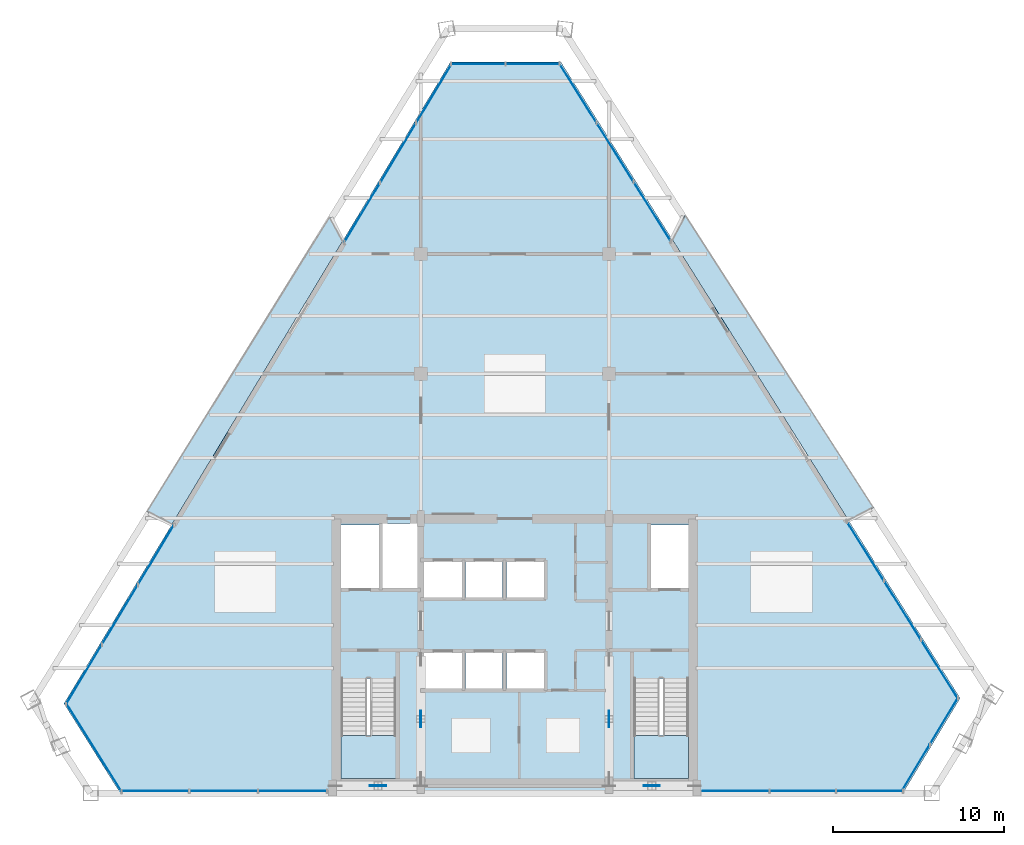
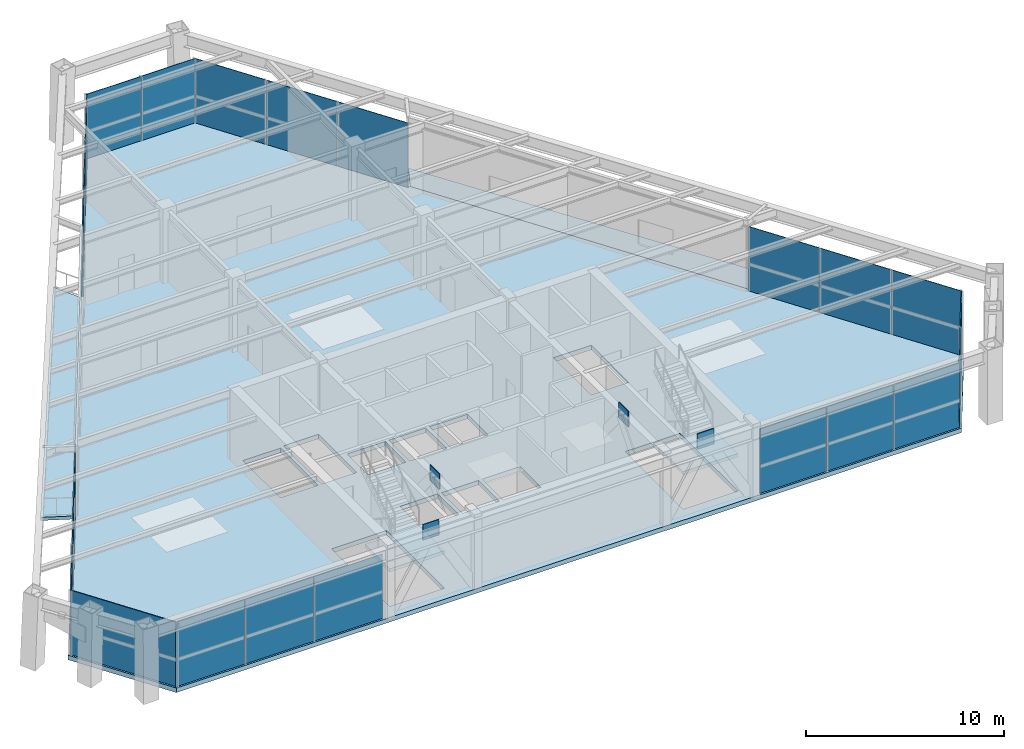
# One storey, part 6 of 11: 27 plates, 5 slabs, 11 elements without a shape of their own.
"""IFC4 building model written with IfcOpenShell, lengths in metres."""

from ifc_helpers import new_model, si_unit, direction, frame, origin, origin_2d, place, context, subcontext, project, spatial, polyline, rectangle, outline, extrude, source, transform, mapped, material, layer, layer_set, type_object, element, aggregate, save


model = new_model("IFC4")

# Units and contexts
model_context = context("Model", 3, precision=1e-05, world=origin(), true_north=direction((0.0, 1.0)))
body_context = subcontext(model_context, "Body", "Model", "MODEL_VIEW")
ifc_project = project(units=[si_unit("LENGTHUNIT", "METRE"), si_unit("AREAUNIT", "SQUARE_METRE"), si_unit("VOLUMEUNIT", "CUBIC_METRE"), si_unit("PLANEANGLEUNIT", "RADIAN"), si_unit("MASSUNIT", "GRAM", prefix="KILO")], contexts=[model_context])

# Site, building, storey
site_placement = place(None, origin())
site = spatial("IfcSite", under=ifc_project, at=site_placement, CompositionType="ELEMENT")
building_placement = place(site_placement, origin())
building = spatial("IfcBuilding", under=site, at=building_placement, Name="Varnakhor Terracotta Tower", CompositionType="ELEMENT")
storey_placement = place(building_placement, frame((0.0, 0.0, 215.39990234375)))
storey = spatial("IfcBuildingStorey", under=building, at=storey_placement, Name="L55", CompositionType="ELEMENT", Elevation=215.39990234375)

# Stair, slab
ifc_material_1 = material(Name="Concrete C40/50", Category="concrete")
stair_type = type_object("IfcStairType", Name="STR-CORE-HOTEL-1500", PredefinedType="HALF_TURN_STAIR", material=ifc_material_1)
stair_1_placement = place(storey_placement, origin())
stair_1 = element("IfcStair", 1, at=stair_1_placement, inside=storey, type_object=stair_type, Name="L55 Core Exit Stair ST-1", PredefinedType="HALF_TURN_STAIR")
ifc_layer_1 = layer(ifc_material_1, 0.179931640625, Name="Concrete C40/50")
ifc_layer_set_1 = layer_set([ifc_layer_1], Name="Concrete C40/50")
slab_type_1 = type_object("IfcSlabType", Name="SLB-LANDING-180", PredefinedType="LANDING", material=ifc_layer_set_1)
slab_1_placement = place(storey_placement, frame((0.0, 0.0, 2.10009765625)))
slab_1 = element("IfcSlab", 2, at=slab_1_placement, type_object=slab_type_1, Name="ST-1 landing 1", PredefinedType="LANDING", context=body_context, shape_type="SweptSolid", body=[
    extrude(outline(polyline([(-10.14990234375, 3.35009765625), (-10.14990234375, 0.85009765625), (-6.949951171875, 0.85009765625), (-6.949951171875, 3.35009765625), (-10.14990234375, 3.35009765625)])), origin(), (0.0, 0.0, 1.0), 0.199951171875),
])
aggregate(stair_1, [slab_1])

stair_2_placement = place(storey_placement, origin())
stair_2 = element("IfcStair", 3, at=stair_2_placement, inside=storey, type_object=stair_type, Name="L55 Core Exit Stair ST-2", PredefinedType="HALF_TURN_STAIR")
slab_2_placement = place(storey_placement, frame((0.0, 0.0, 2.10009765625)))
slab_2 = element("IfcSlab", 4, at=slab_2_placement, type_object=slab_type_1, Name="ST-2 landing 1", PredefinedType="LANDING", context=body_context, shape_type="SweptSolid", body=[
    extrude(outline(polyline([(6.949951171875, 3.35009765625), (6.949951171875, 0.85009765625), (10.14990234375, 0.85009765625), (10.14990234375, 3.35009765625), (6.949951171875, 3.35009765625)])), origin(), (0.0, 0.0, 1.0), 0.199951171875),
])
aggregate(stair_2, [slab_2])

# Slabs
ifc_layer_2 = layer(ifc_material_1, 0.195068359375, Name="Concrete C40/50")
ifc_layer_set_2 = layer_set([ifc_layer_2], Name="Concrete C40/50")
slab_type_2 = type_object("IfcSlabType", Name="SLB-LOGGIA-EXT-195", PredefinedType="FLOOR", material=ifc_layer_set_2)
slab_3_placement = place(storey_placement, frame((0.0, 0.0, -0.19482421875)))
element("IfcSlab", 5, at=slab_3_placement, inside=storey, type_object=slab_type_2, Name="L55 E Recessed Outdoor Loggia Slab", PredefinedType="FLOOR", context=body_context, shape_type="SweptSolid", body=[
    extrude(outline(polyline([(9.938720703125, 33.760498046875), (20.955322265625, 16.66796875), (19.487060546875, 15.952880859375), (9.220703125, 32.31201171875), (9.938720703125, 33.760498046875)])), origin(), (0.0, 0.0, 1.0), 0.19482421875),
])
slab_4_placement = place(storey_placement, frame((0.0, 0.0, -0.19482421875)))
element("IfcSlab", 6, at=slab_4_placement, inside=storey, type_object=slab_type_2, Name="L55 W Recessed Outdoor Loggia Slab", PredefinedType="FLOOR", context=body_context, shape_type="SweptSolid", body=[
    extrude(outline(polyline([(-21.501220703125, 16.43310546875), (-10.8056640625, 33.669189453125), (-10.083740234375, 32.224609375), (-20.0224609375, 15.72802734375), (-21.501220703125, 16.43310546875)])), origin(), (0.0, 0.0, 1.0), 0.19482421875),
])
ifc_layer_3 = layer(ifc_material_1, 0.280029296875, Name="Concrete C40/50")
ifc_layer_set_3 = layer_set([ifc_layer_3], Name="Concrete C40/50")
slab_type_3 = type_object("IfcSlabType", Name="SLB-SKY-280", PredefinedType="FLOOR", material=ifc_layer_set_3)
slab_5_placement = place(storey_placement, frame((0.0, 0.0, -0.27978515625)))
element("IfcSlab", 7, at=slab_5_placement, inside=storey, type_object=slab_type_3, Name="L55 Structural Floor Slab", PredefinedType="FLOOR", context=body_context, shape_type="SweptSolid", body=[
    extrude(outline(polyline([(-26.34716796875, 5.230224609375), (-3.759033203125, 42.722412109375), (2.687744140625, 42.722412109375), (26.02001953125, 5.54248046875), (22.6806640625, 0.0), (-23.06494140625, 0.0), (-26.34716796875, 5.230224609375)]), holes=[polyline([(-6.949951171875, 0.85009765625), (-6.949951171875, 6.695068359375), (-10.14990234375, 6.695068359375), (-10.14990234375, 0.85009765625), (-6.949951171875, 0.85009765625)]), polyline([(-3.10009765625, 6.10009765625), (-3.10009765625, 8.199951171875), (-5.300048828125, 8.199951171875), (-5.300048828125, 6.10009765625), (-3.10009765625, 6.10009765625)]), polyline([(-0.719970703125, 6.10009765625), (-0.719970703125, 8.199951171875), (-2.8798828125, 8.199951171875), (-2.8798828125, 6.10009765625), (-0.719970703125, 6.10009765625)]), polyline([(-5.300048828125, 11.419921875), (-3.10009765625, 11.419921875), (-3.10009765625, 13.52001953125), (-5.300048828125, 13.52001953125), (-5.300048828125, 11.419921875)]), polyline([(-10.14990234375, 11.8798828125), (-7.949951171875, 11.8798828125), (-7.949951171875, 15.64990234375), (-10.14990234375, 15.64990234375), (-10.14990234375, 11.8798828125)]), polyline([(-5.699951171875, 11.8798828125), (-5.699951171875, 15.75), (-7.72998046875, 15.75), (-7.72998046875, 11.8798828125), (-5.699951171875, 11.8798828125)]), polyline([(6.949951171875, 0.85009765625), (10.14990234375, 0.85009765625), (10.14990234375, 6.695068359375), (6.949951171875, 6.695068359375), (6.949951171875, 0.85009765625)]), polyline([(-0.5, 6.10009765625), (1.699951171875, 6.10009765625), (1.699951171875, 8.199951171875), (-0.5, 8.199951171875), (-0.5, 6.10009765625)]), polyline([(-0.719970703125, 11.419921875), (-0.719970703125, 13.52001953125), (-2.8798828125, 13.52001953125), (-2.8798828125, 11.419921875), (-0.719970703125, 11.419921875)]), polyline([(-0.5, 11.419921875), (1.699951171875, 11.419921875), (1.699951171875, 13.52001953125), (-0.5, 13.52001953125), (-0.5, 11.419921875)]), polyline([(7.949951171875, 11.8798828125), (10.14990234375, 11.8798828125), (10.14990234375, 15.64990234375), (7.949951171875, 15.64990234375), (7.949951171875, 11.8798828125)])]), origin(), (0.0, 0.0, 1.0), 0.27978515625),
])

# Plates
ifc_material_2 = material(Name="Steel S460", Category="steel")
ifc_layer_4 = layer(ifc_material_2, 0.050048828125, Name="Steel S460")
ifc_layer_set_4 = layer_set([ifc_layer_4], Name="Steel S460")
plate_type_1 = type_object("IfcPlateType", Name="PLT-GUSSET-50", PredefinedType="USERDEFINED", material=ifc_layer_set_4)
shared_shape_1 = source(origin(), body_context, "Body", "SweptSolid", [
    extrude(rectangle(XDim=0.949951171875, YDim=0.044921875, at=origin_2d()), origin(), (0.0, 0.0, 1.0), 0.949951171875),
])
for number, where, z_axis, x_axis, name in (
    (8, (-8.0, 0.419921875, 3.76513671875), (0.0, 0.0, 1.0), (1.0, 0.0, 0.0), "L55 Core Brace Apex Gusset CSW"),
    (9, (8.0, 0.419921875, 3.76513671875), (0.0, 0.0, 1.0), (1.0, 0.0, 0.0), "L55 Core Brace Apex Gusset CSE"),
    (10, (-5.5, 4.324951171875, 3.76513671875), (0.0, 0.0, 1.0), (0.0, 1.0, 0.0), "L55 Core Brace Apex Gusset CWW"),
    (11, (5.5, 4.324951171875, 3.76513671875), (0.0, 0.0, 1.0), (0.0, 1.0, 0.0), "L55 Core Brace Apex Gusset CWE"),
):
    element("IfcPlate", number, at=place(storey_placement, frame(where, z_axis=z_axis, x_axis=x_axis)), inside=storey, type_object=plate_type_1, Name=name, ObjectType="GUSSET PLATE", PredefinedType="USERDEFINED", context=body_context, shape_type="MappedRepresentation", body=[
        mapped(shared_shape_1, transform((0.0, 0.0, 0.0), scale=1.0)),
    ])

# Curtain wall, plates
ifc_material_3 = material(Name="Anodised Aluminium Curtain Wall System", Category="aluminium")
curtain_wall_type = type_object("IfcCurtainWallType", Name="CW-SYS-SKYLOBBY", PredefinedType="NOTDEFINED", material=ifc_material_3)
curtain_wall_1_placement = place(storey_placement, origin())
curtain_wall_1 = element("IfcCurtainWall", 12, at=curtain_wall_1_placement, inside=storey, type_object=curtain_wall_type, Name="L55 W Facet Curtain Wall 1", PredefinedType="NOTDEFINED")
ifc_material_4 = material(Name="Solar-Control Low-E Insulated Glass Panel", Category="glass")
ifc_layer_5 = layer(ifc_material_4, 0.0458984375, Name="Solar-Control Low-E Insulated Glass Panel")
ifc_layer_set_5 = layer_set([ifc_layer_5], Name="Solar-Control Low-E Insulated Glass Panel")
plate_type_2 = type_object("IfcPlateType", Name="CWP-05", PredefinedType="CURTAIN_PANEL", material=ifc_layer_set_5)
shared_shape_2 = source(origin(), body_context, "Body", "SweptSolid", [
    extrude(rectangle(XDim=4.025146484375, YDim=0.035888671875, at=origin_2d()), origin(), (0.0, 0.0, 1.0), 3.969970703125),
])
plate_1_placement = place(storey_placement, frame((-25.179931640625, 6.93505859375, 0.0), z_axis=(0.0, 0.0, 1.0), x_axis=(0.516055018574, 0.856555437672, 0.0)))
plate_1 = element("IfcPlate", 13, at=plate_1_placement, type_object=plate_type_2, Name="L55 W Facet Curtain Wall 1 Glazed Panel 1", PredefinedType="CURTAIN_PANEL", context=body_context, shape_type="MappedRepresentation", body=[
    mapped(shared_shape_2, transform((0.0, 0.0, 0.0), scale=1.0)),
])
plate_2_placement = place(storey_placement, frame((-20.984130859375, 13.8994140625, 0.0), z_axis=(0.0, 0.0, 1.0), x_axis=(0.516055018574, 0.856555437672, 0.0)))
plate_2 = element("IfcPlate", 14, at=plate_2_placement, type_object=plate_type_2, Name="L55 W Facet Curtain Wall 1 Glazed Panel 3", PredefinedType="CURTAIN_PANEL", context=body_context, shape_type="MappedRepresentation", body=[
    mapped(shared_shape_2, transform((0.0, 0.0, 0.0), scale=1.0)),
])

# Curtain wall, plate
curtain_wall_2_placement = place(storey_placement, origin())
curtain_wall_2 = element("IfcCurtainWall", 15, at=curtain_wall_2_placement, inside=storey, type_object=curtain_wall_type, Name="L55 W Facet Curtain Wall 2", PredefinedType="NOTDEFINED")
plate_3_placement = place(storey_placement, frame((-6.818603515625, 37.41162109375, 0.0), z_axis=(0.0, 0.0, 1.0), x_axis=(0.516055018574, 0.856555437672, 0.0)))
plate_3 = element("IfcPlate", 16, at=plate_3_placement, type_object=plate_type_2, Name="L55 W Facet Curtain Wall 2 Glazed Panel 2", PredefinedType="CURTAIN_PANEL", context=body_context, shape_type="MappedRepresentation", body=[
    mapped(shared_shape_2, transform((0.0, 0.0, 0.0), scale=1.0)),
])

# Plate
shared_shape_3 = source(origin(), body_context, "Body", "SweptSolid", [
    extrude(rectangle(XDim=4.025390625, YDim=0.035888671875, at=origin_2d()), origin(), (0.0, 0.0, 1.0), 3.969970703125),
])
plate_4_placement = place(storey_placement, frame((-23.08203125, 10.417236328125, 0.0), z_axis=(0.0, 0.0, 1.0), x_axis=(0.516055018574, 0.856555437672, 0.0)))
plate_4 = element("IfcPlate", 17, at=plate_4_placement, type_object=plate_type_2, Name="L55 W Facet Curtain Wall 1 Glazed Panel 2", PredefinedType="CURTAIN_PANEL", context=body_context, shape_type="MappedRepresentation", body=[
    mapped(shared_shape_3, transform((0.0, 0.0, 0.0), scale=1.0)),
])

aggregate(curtain_wall_1, [plate_1, plate_4, plate_2])

plate_5_placement = place(storey_placement, frame((-8.91650390625, 33.929443359375, 0.0), z_axis=(0.0, 0.0, 1.0), x_axis=(0.516055018574, 0.856555437672, 0.0)))
plate_5 = element("IfcPlate", 18, at=plate_5_placement, type_object=plate_type_2, Name="L55 W Facet Curtain Wall 2 Glazed Panel 1", PredefinedType="CURTAIN_PANEL", context=body_context, shape_type="MappedRepresentation", body=[
    mapped(shared_shape_3, transform((0.0, 0.0, 0.0), scale=1.0)),
])

plate_6_placement = place(storey_placement, frame((-4.720703125, 40.893798828125, 0.0), z_axis=(0.0, 0.0, 1.0), x_axis=(0.516055018574, 0.856555437672, 0.0)))
plate_6 = element("IfcPlate", 19, at=plate_6_placement, type_object=plate_type_2, Name="L55 W Facet Curtain Wall 2 Glazed Panel 3", PredefinedType="CURTAIN_PANEL", context=body_context, shape_type="MappedRepresentation", body=[
    mapped(shared_shape_3, transform((0.0, 0.0, 0.0), scale=1.0)),
])

aggregate(curtain_wall_2, [plate_5, plate_3, plate_6])

# Curtain wall, plates
curtain_wall_3_placement = place(storey_placement, origin())
curtain_wall_3 = element("IfcCurtainWall", 20, at=curtain_wall_3_placement, inside=storey, type_object=curtain_wall_type, Name="L55 Facet Curtain Wall 2", PredefinedType="NOTDEFINED")
shared_shape_4 = source(origin(), body_context, "Body", "SweptSolid", [
    extrude(rectangle(XDim=3.153564453125, YDim=0.035888671875, at=origin_2d()), origin(), (0.0, 0.0, 1.0), 3.969970703125),
])
plate_7_placement = place(storey_placement, frame((-2.13232421875, 42.6025390625, 0.0), z_axis=(0.0, 0.0, 1.0), x_axis=(1.0, 0.0, 0.0)))
plate_7 = element("IfcPlate", 21, at=plate_7_placement, type_object=plate_type_2, Name="L55 Facet Curtain Wall 2 Glazed Panel 1", PredefinedType="CURTAIN_PANEL", context=body_context, shape_type="MappedRepresentation", body=[
    mapped(shared_shape_4, transform((0.0, 0.0, 0.0), scale=1.0)),
])
shared_shape_5 = source(origin(), body_context, "Body", "SweptSolid", [
    extrude(rectangle(XDim=3.1533203125, YDim=0.035888671875, at=origin_2d()), origin(), (0.0, 0.0, 1.0), 3.969970703125),
])
plate_8_placement = place(storey_placement, frame((1.06103515625, 42.6025390625, 0.0), z_axis=(0.0, 0.0, 1.0), x_axis=(1.0, 0.0, 0.0)))
plate_8 = element("IfcPlate", 22, at=plate_8_placement, type_object=plate_type_2, Name="L55 Facet Curtain Wall 2 Glazed Panel 2", PredefinedType="CURTAIN_PANEL", context=body_context, shape_type="MappedRepresentation", body=[
    mapped(shared_shape_5, transform((0.0, 0.0, 0.0), scale=1.0)),
])
aggregate(curtain_wall_3, [plate_7, plate_8])

curtain_wall_4_placement = place(storey_placement, origin())
curtain_wall_4 = element("IfcCurtainWall", 23, at=curtain_wall_4_placement, inside=storey, type_object=curtain_wall_type, Name="L55 E Facet Curtain Wall 1", PredefinedType="NOTDEFINED")
shared_shape_6 = source(origin(), body_context, "Body", "SweptSolid", [
    extrude(rectangle(XDim=4.036865234375, YDim=0.035888671875, at=origin_2d()), origin(), (0.0, 0.0, 1.0), 3.969970703125),
])
plate_9_placement = place(storey_placement, frame((3.685546875, 40.90673828125, 0.0), z_axis=(0.0, 0.0, 1.0), x_axis=(0.531546422091, -0.847029161932, 0.0)))
plate_9 = element("IfcPlate", 24, at=plate_9_placement, type_object=plate_type_2, Name="L55 E Facet Curtain Wall 1 Glazed Panel 1", PredefinedType="CURTAIN_PANEL", context=body_context, shape_type="MappedRepresentation", body=[
    mapped(shared_shape_6, transform((0.0, 0.0, 0.0), scale=1.0)),
])
plate_10_placement = place(storey_placement, frame((5.852783203125, 37.45361328125, 0.0), z_axis=(0.0, 0.0, 1.0), x_axis=(0.531546422091, -0.847029161932, 0.0)))
plate_10 = element("IfcPlate", 25, at=plate_10_placement, type_object=plate_type_2, Name="L55 E Facet Curtain Wall 1 Glazed Panel 2", PredefinedType="CURTAIN_PANEL", context=body_context, shape_type="MappedRepresentation", body=[
    mapped(shared_shape_6, transform((0.0, 0.0, 0.0), scale=1.0)),
])

curtain_wall_5_placement = place(storey_placement, origin())
curtain_wall_5 = element("IfcCurtainWall", 26, at=curtain_wall_5_placement, inside=storey, type_object=curtain_wall_type, Name="L55 E Facet Curtain Wall 2", PredefinedType="NOTDEFINED")
plate_11_placement = place(storey_placement, frame((20.48486328125, 14.13720703125, 0.0), z_axis=(0.0, 0.0, 1.0), x_axis=(0.531546422091, -0.847029161932, 0.0)))
plate_11 = element("IfcPlate", 27, at=plate_11_placement, type_object=plate_type_2, Name="L55 E Facet Curtain Wall 2 Glazed Panel 1", PredefinedType="CURTAIN_PANEL", context=body_context, shape_type="MappedRepresentation", body=[
    mapped(shared_shape_6, transform((0.0, 0.0, 0.0), scale=1.0)),
])
plate_12_placement = place(storey_placement, frame((22.65185546875, 10.68408203125, 0.0), z_axis=(0.0, 0.0, 1.0), x_axis=(0.531546422091, -0.847029161932, 0.0)))
plate_12 = element("IfcPlate", 28, at=plate_12_placement, type_object=plate_type_2, Name="L55 E Facet Curtain Wall 2 Glazed Panel 2", PredefinedType="CURTAIN_PANEL", context=body_context, shape_type="MappedRepresentation", body=[
    mapped(shared_shape_6, transform((0.0, 0.0, 0.0), scale=1.0)),
])
plate_13_placement = place(storey_placement, frame((24.81884765625, 7.230712890625, 0.0), z_axis=(0.0, 0.0, 1.0), x_axis=(0.531546422091, -0.847029161932, 0.0)))
plate_13 = element("IfcPlate", 29, at=plate_13_placement, type_object=plate_type_2, Name="L55 E Facet Curtain Wall 2 Glazed Panel 3", PredefinedType="CURTAIN_PANEL", context=body_context, shape_type="MappedRepresentation", body=[
    mapped(shared_shape_6, transform((0.0, 0.0, 0.0), scale=1.0)),
])
aggregate(curtain_wall_5, [plate_11, plate_12, plate_13])

# Plate
shared_shape_7 = source(origin(), body_context, "Body", "SweptSolid", [
    extrude(rectangle(XDim=4.03662109375, YDim=0.035888671875, at=origin_2d()), origin(), (0.0, 0.0, 1.0), 3.969970703125),
])
plate_14_placement = place(storey_placement, frame((8.019775390625, 34.000244140625, 0.0), z_axis=(0.0, 0.0, 1.0), x_axis=(0.531546422091, -0.847029161932, 0.0)))
plate_14 = element("IfcPlate", 30, at=plate_14_placement, type_object=plate_type_2, Name="L55 E Facet Curtain Wall 1 Glazed Panel 3", PredefinedType="CURTAIN_PANEL", context=body_context, shape_type="MappedRepresentation", body=[
    mapped(shared_shape_7, transform((0.0, 0.0, 0.0), scale=1.0)),
])

aggregate(curtain_wall_4, [plate_9, plate_10, plate_14])

# Curtain wall, plates
curtain_wall_6_placement = place(storey_placement, origin())
curtain_wall_6 = element("IfcCurtainWall", 31, at=curtain_wall_6_placement, inside=storey, type_object=curtain_wall_type, Name="L55 Facet Curtain Wall 4", PredefinedType="NOTDEFINED")
shared_shape_8 = source(origin(), body_context, "Body", "SweptSolid", [
    extrude(rectangle(XDim=3.165283203125, YDim=0.035888671875, at=origin_2d()), origin(), (0.0, 0.0, 1.0), 3.969970703125),
])
plate_15_placement = place(storey_placement, frame((25.07470703125, 4.2060546875, 0.0), z_axis=(0.0, 0.0, 1.0), x_axis=(-0.516055018574, -0.856555437672, 0.0)))
plate_15 = element("IfcPlate", 32, at=plate_15_placement, type_object=plate_type_2, Name="L55 Facet Curtain Wall 4 Glazed Panel 1", PredefinedType="CURTAIN_PANEL", context=body_context, shape_type="MappedRepresentation", body=[
    mapped(shared_shape_8, transform((0.0, 0.0, 0.0), scale=1.0)),
])
plate_16_placement = place(storey_placement, frame((23.42041015625, 1.46044921875, 0.0), z_axis=(0.0, 0.0, 1.0), x_axis=(-0.516055018574, -0.856555437672, 0.0)))
plate_16 = element("IfcPlate", 33, at=plate_16_placement, type_object=plate_type_2, Name="L55 Facet Curtain Wall 4 Glazed Panel 2", PredefinedType="CURTAIN_PANEL", context=body_context, shape_type="MappedRepresentation", body=[
    mapped(shared_shape_8, transform((0.0, 0.0, 0.0), scale=1.0)),
])
aggregate(curtain_wall_6, [plate_15, plate_16])

curtain_wall_7_placement = place(storey_placement, origin())
curtain_wall_7 = element("IfcCurtainWall", 34, at=curtain_wall_7_placement, inside=storey, type_object=curtain_wall_type, Name="L55 South Wing Curtain Wall SSE", PredefinedType="NOTDEFINED")
shared_shape_9 = source(origin(), body_context, "Body", "SweptSolid", [
    extrude(rectangle(XDim=3.860107421875, YDim=0.035888671875, at=origin_2d()), origin(), (0.0, 0.0, 1.0), 3.969970703125),
])
plate_17_placement = place(storey_placement, frame((20.720703125, 0.1201171875, 0.0), z_axis=(0.0, 0.0, 1.0), x_axis=(-1.0, 0.0, 0.0)))
plate_17 = element("IfcPlate", 35, at=plate_17_placement, type_object=plate_type_2, Name="L55 South Wing Curtain Wall SSE Glazed Panel 1", PredefinedType="CURTAIN_PANEL", context=body_context, shape_type="MappedRepresentation", body=[
    mapped(shared_shape_9, transform((0.0, 0.0, 0.0), scale=1.0)),
])
plate_18_placement = place(storey_placement, frame((12.920166015625, 0.1201171875, 0.0), z_axis=(0.0, 0.0, 1.0), x_axis=(-1.0, 0.0, 0.0)))
plate_18 = element("IfcPlate", 36, at=plate_18_placement, type_object=plate_type_2, Name="L55 South Wing Curtain Wall SSE Glazed Panel 3", PredefinedType="CURTAIN_PANEL", context=body_context, shape_type="MappedRepresentation", body=[
    mapped(shared_shape_9, transform((0.0, 0.0, 0.0), scale=1.0)),
])
shared_shape_10 = source(origin(), body_context, "Body", "SweptSolid", [
    extrude(rectangle(XDim=3.8603515625, YDim=0.035888671875, at=origin_2d()), origin(), (0.0, 0.0, 1.0), 3.969970703125),
])
plate_19_placement = place(storey_placement, frame((16.8203125, 0.1201171875, 0.0), z_axis=(0.0, 0.0, 1.0), x_axis=(-1.0, 0.0, 0.0)))
plate_19 = element("IfcPlate", 37, at=plate_19_placement, type_object=plate_type_2, Name="L55 South Wing Curtain Wall SSE Glazed Panel 2", PredefinedType="CURTAIN_PANEL", context=body_context, shape_type="MappedRepresentation", body=[
    mapped(shared_shape_10, transform((0.0, 0.0, 0.0), scale=1.0)),
])
aggregate(curtain_wall_7, [plate_17, plate_19, plate_18])

curtain_wall_8_placement = place(storey_placement, origin())
curtain_wall_8 = element("IfcCurtainWall", 38, at=curtain_wall_8_placement, inside=storey, type_object=curtain_wall_type, Name="L55 South Wing Curtain Wall SSW", PredefinedType="NOTDEFINED")
shared_shape_11 = source(origin(), body_context, "Body", "SweptSolid", [
    extrude(rectangle(XDim=3.98828125, YDim=0.035888671875, at=origin_2d()), origin(), (0.0, 0.0, 1.0), 3.969970703125),
])
plate_20_placement = place(storey_placement, frame((-12.984130859375, 0.1201171875, 0.0), z_axis=(0.0, 0.0, 1.0), x_axis=(-1.0, 0.0, 0.0)))
plate_20 = element("IfcPlate", 39, at=plate_20_placement, type_object=plate_type_2, Name="L55 South Wing Curtain Wall SSW Glazed Panel 1", PredefinedType="CURTAIN_PANEL", context=body_context, shape_type="MappedRepresentation", body=[
    mapped(shared_shape_11, transform((0.0, 0.0, 0.0), scale=1.0)),
])
plate_21_placement = place(storey_placement, frame((-17.012451171875, 0.1201171875, 0.0), z_axis=(0.0, 0.0, 1.0), x_axis=(-1.0, 0.0, 0.0)))
plate_21 = element("IfcPlate", 40, at=plate_21_placement, type_object=plate_type_2, Name="L55 South Wing Curtain Wall SSW Glazed Panel 2", PredefinedType="CURTAIN_PANEL", context=body_context, shape_type="MappedRepresentation", body=[
    mapped(shared_shape_11, transform((0.0, 0.0, 0.0), scale=1.0)),
])
plate_22_placement = place(storey_placement, frame((-21.040771484375, 0.1201171875, 0.0), z_axis=(0.0, 0.0, 1.0), x_axis=(-1.0, 0.0, 0.0)))
plate_22 = element("IfcPlate", 41, at=plate_22_placement, type_object=plate_type_2, Name="L55 South Wing Curtain Wall SSW Glazed Panel 3", PredefinedType="CURTAIN_PANEL", context=body_context, shape_type="MappedRepresentation", body=[
    mapped(shared_shape_11, transform((0.0, 0.0, 0.0), scale=1.0)),
])
aggregate(curtain_wall_8, [plate_20, plate_21, plate_22])

# Curtain wall, plate
curtain_wall_9_placement = place(storey_placement, origin())
curtain_wall_9 = element("IfcCurtainWall", 42, at=curtain_wall_9_placement, inside=storey, type_object=curtain_wall_type, Name="L55 Facet Curtain Wall 6", PredefinedType="NOTDEFINED")
shared_shape_12 = source(origin(), body_context, "Body", "SweptSolid", [
    extrude(rectangle(XDim=6.07470703125, YDim=0.035888671875, at=origin_2d()), origin(), (0.0, 0.0, 1.0), 3.969970703125),
])
plate_23_placement = place(storey_placement, frame((-24.6044921875, 2.678955078125, 0.0), z_axis=(0.0, 0.0, 1.0), x_axis=(-0.531546422091, 0.847029161932, 0.0)))
plate_23 = element("IfcPlate", 43, at=plate_23_placement, type_object=plate_type_2, Name="L55 Facet Curtain Wall 6 Glazed Panel 1", PredefinedType="CURTAIN_PANEL", context=body_context, shape_type="MappedRepresentation", body=[
    mapped(shared_shape_12, transform((0.0, 0.0, 0.0), scale=1.0)),
])
aggregate(curtain_wall_9, [plate_23])

save(model, "model.ifc")
